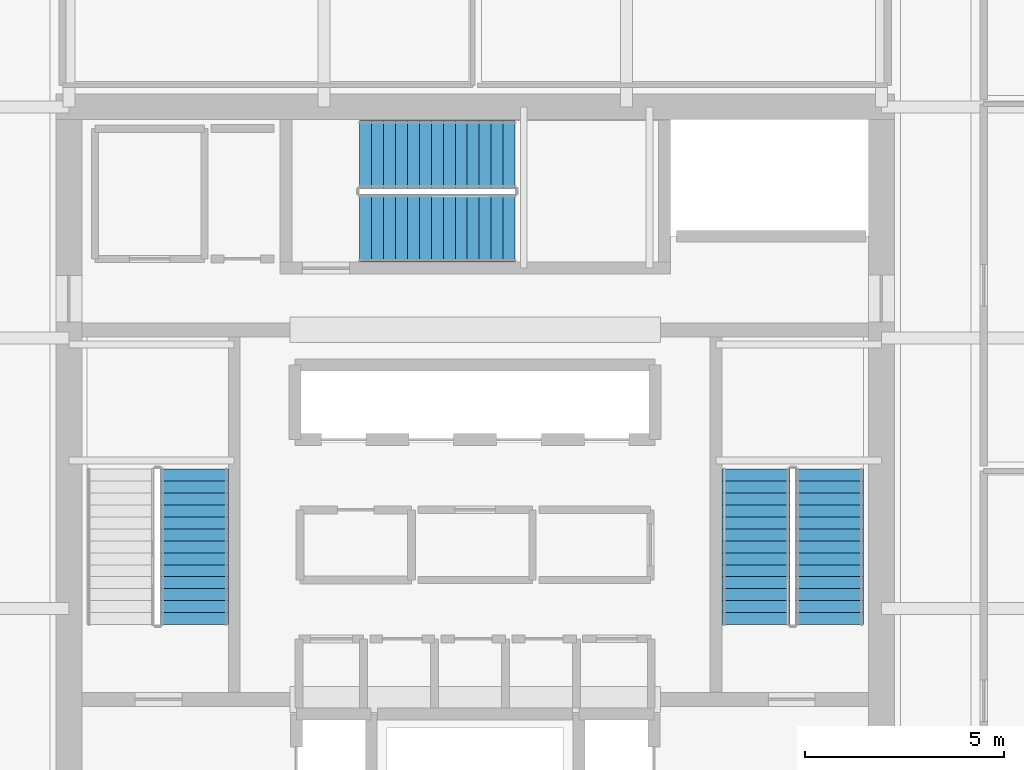
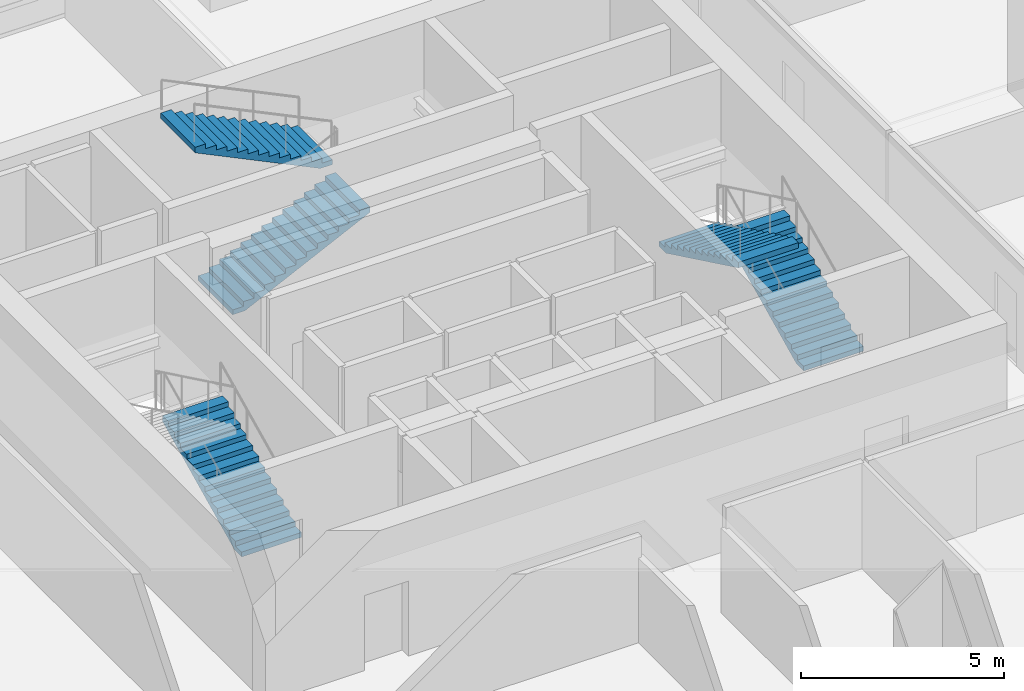
# One storey, part 32 of 36: 5 stair flights, 3 elements without a shape of their own.
"""IFC4 building model written with IfcOpenShell, lengths in metres."""

from ifc_helpers import new_model, si_unit, direction, frame, origin, place, context, subcontext, project, spatial, polyline, outline, extrude, material, type_object, element, aggregate, save


model = new_model("IFC4")

# Units and contexts
model_context = context("Model", 3, precision=1e-05, world=origin(), true_north=direction((0.0, 1.0)))
body_context = subcontext(model_context, "Body", "Model", "MODEL_VIEW")
ifc_project = project(units=[si_unit("LENGTHUNIT", "METRE"), si_unit("AREAUNIT", "SQUARE_METRE"), si_unit("VOLUMEUNIT", "CUBIC_METRE"), si_unit("PLANEANGLEUNIT", "RADIAN"), si_unit("MASSUNIT", "GRAM", prefix="KILO")], contexts=[model_context])

# Site, building, storey
site_placement = place(None, origin())
site = spatial("IfcSite", under=ifc_project, at=site_placement, CompositionType="ELEMENT")
building_placement = place(site_placement, origin())
building = spatial("IfcBuilding", under=site, at=building_placement, Name="Punatoya Terracotta Tower", CompositionType="ELEMENT")
storey_placement = place(building_placement, frame((0.0, 0.0, 228.89990234375)))
storey = spatial("IfcBuildingStorey", under=building, at=storey_placement, Name="L54", CompositionType="ELEMENT", Elevation=228.89990234375)

# Stair, stair flight
ifc_material = material(Name="Concrete C40/50", Category="concrete")
stair_type_1 = type_object("IfcStairType", Name="STR-CORE-1550", PredefinedType="HALF_TURN_STAIR", material=ifc_material)
stair_1_placement = place(storey_placement, origin())
stair_1 = element("IfcStair", 1, at=stair_1_placement, inside=storey, type_object=stair_type_1, Name="L54 Protected Core Exit Stair ST-1", PredefinedType="HALF_TURN_STAIR")
stair_flight_type_1 = type_object("IfcStairFlightType", Name="SFL-CORE-1550", PredefinedType="STRAIGHT", material=ifc_material)
stair_flight_1_placement = place(storey_placement, frame((-7.050048828125, -3.800048828125, 0.0), z_axis=(0.0, 0.0, 1.0), x_axis=(0.0, 1.0, 0.0)))
stair_flight_1 = element("IfcStairFlight", 2, at=stair_flight_1_placement, type_object=stair_flight_type_1, Name="ST-1 flight 1", NumberOfRisers=14, NumberOfTreads=13, PredefinedType="STRAIGHT", RiserHeight=0.144642857, TreadLength=0.3, context=body_context, shape_type="SweptSolid", body=[
    extrude(outline(polyline([(0.0, 0.0), (0.0, 0.14453125), (0.300048828125, 0.14453125), (0.300048828125, 0.289306640625), (0.60009765625, 0.289306640625), (0.60009765625, 0.433837890625), (0.89990234375, 0.433837890625), (0.89990234375, 0.57861328125), (1.199951171875, 0.57861328125), (1.199951171875, 0.72314453125), (1.5, 0.72314453125), (1.5, 0.867919921875), (1.800048828125, 0.867919921875), (1.800048828125, 1.012451171875), (2.10009765625, 1.012451171875), (2.10009765625, 1.1572265625), (2.39990234375, 1.1572265625), (2.39990234375, 1.3017578125), (2.699951171875, 1.3017578125), (2.699951171875, 1.446533203125), (3.0, 1.446533203125), (3.0, 1.591064453125), (3.300048828125, 1.591064453125), (3.300048828125, 1.735595703125), (3.60009765625, 1.735595703125), (3.60009765625, 1.88037109375), (3.89990234375, 1.88037109375), (3.89990234375, 2.02490234375), (3.89990234375, 1.7138671875), (0.34521484375, 0.0), (0.0, 0.0)])), frame((0.0, 0.85009765625, 0.0), z_axis=(0.0, -1.0, 0.0), x_axis=(1.0, 0.0, 0.0)), (0.0, 0.0, 1.0), 1.699951171875),
])
aggregate(stair_1, [stair_flight_1])

# Stair, stair flights
stair_type_2 = type_object("IfcStairType", Name="STR-LOB-1650", PredefinedType="HALF_TURN_STAIR", material=ifc_material)
stair_2_placement = place(storey_placement, origin())
stair_2 = element("IfcStair", 3, at=stair_2_placement, inside=storey, type_object=stair_type_2, Name="L54 Protected Core Exit Stair ST-2", PredefinedType="HALF_TURN_STAIR")
stair_flight_type_2 = type_object("IfcStairFlightType", Name="SFL-LOB-1650", PredefinedType="STRAIGHT", material=ifc_material)
stair_flight_2_placement = place(storey_placement, frame((8.89990234375, -3.800048828125, 0.0), z_axis=(0.0, 0.0, 1.0), x_axis=(0.0, 1.0, 0.0)))
stair_flight_2 = element("IfcStairFlight", 4, at=stair_flight_2_placement, type_object=stair_flight_type_2, Name="ST-2 flight 1", NumberOfRisers=14, NumberOfTreads=13, PredefinedType="STRAIGHT", RiserHeight=0.144642857, TreadLength=0.3, context=body_context, shape_type="SweptSolid", body=[
    extrude(outline(polyline([(0.0, 0.0), (0.0, 0.14453125), (0.300048828125, 0.14453125), (0.300048828125, 0.289306640625), (0.60009765625, 0.289306640625), (0.60009765625, 0.433837890625), (0.89990234375, 0.433837890625), (0.89990234375, 0.57861328125), (1.199951171875, 0.57861328125), (1.199951171875, 0.72314453125), (1.5, 0.72314453125), (1.5, 0.867919921875), (1.800048828125, 0.867919921875), (1.800048828125, 1.012451171875), (2.10009765625, 1.012451171875), (2.10009765625, 1.1572265625), (2.39990234375, 1.1572265625), (2.39990234375, 1.3017578125), (2.699951171875, 1.3017578125), (2.699951171875, 1.446533203125), (3.0, 1.446533203125), (3.0, 1.591064453125), (3.300048828125, 1.591064453125), (3.300048828125, 1.735595703125), (3.60009765625, 1.735595703125), (3.60009765625, 1.88037109375), (3.89990234375, 1.88037109375), (3.89990234375, 2.02490234375), (3.89990234375, 1.7138671875), (0.34521484375, 0.0), (0.0, 0.0)])), frame((0.0, 0.85009765625, 0.0), z_axis=(0.0, -1.0, 0.0), x_axis=(1.0, 0.0, 0.0)), (0.0, 0.0, 1.0), 1.699951171875),
])
stair_flight_3_placement = place(storey_placement, frame((7.050048828125, 0.10009765625, 2.025146484375), z_axis=(0.0, 0.0, 1.0), x_axis=(0.0, -1.0, 0.0)))
stair_flight_3 = element("IfcStairFlight", 5, at=stair_flight_3_placement, type_object=stair_flight_type_2, Name="ST-2 flight 2", NumberOfRisers=14, NumberOfTreads=13, PredefinedType="STRAIGHT", RiserHeight=0.144642857, TreadLength=0.3, context=body_context, shape_type="SweptSolid", body=[
    extrude(outline(polyline([(0.0, 0.0), (0.0, 0.14453125), (0.300048828125, 0.14453125), (0.300048828125, 0.289306640625), (0.60009765625, 0.289306640625), (0.60009765625, 0.433837890625), (0.89990234375, 0.433837890625), (0.89990234375, 0.57861328125), (1.199951171875, 0.57861328125), (1.199951171875, 0.72314453125), (1.5, 0.72314453125), (1.5, 0.867919921875), (1.800048828125, 0.867919921875), (1.800048828125, 1.012451171875), (2.10009765625, 1.012451171875), (2.10009765625, 1.1572265625), (2.39990234375, 1.1572265625), (2.39990234375, 1.3017578125), (2.699951171875, 1.3017578125), (2.699951171875, 1.446533203125), (3.0, 1.446533203125), (3.0, 1.591064453125), (3.300048828125, 1.591064453125), (3.300048828125, 1.735595703125), (3.60009765625, 1.735595703125), (3.60009765625, 1.88037109375), (3.89990234375, 1.88037109375), (3.89990234375, 2.02490234375), (3.89990234375, 1.7138671875), (0.34521484375, 0.0), (0.0, 0.0)])), frame((0.0, 0.85009765625, 0.0), z_axis=(0.0, -1.0, 0.0), x_axis=(1.0, 0.0, 0.0)), (0.0, 0.0, 1.0), 1.699951171875),
])
aggregate(stair_2, [stair_flight_2, stair_flight_3])

stair_type_3 = type_object("IfcStairType", Name="STR-TER-1450", PredefinedType="HALF_TURN_STAIR", material=ifc_material)
stair_3_placement = place(storey_placement, origin())
stair_3 = element("IfcStair", 6, at=stair_3_placement, inside=storey, type_object=stair_type_3, Name="L54 Protected Core Exit Stair ST-3", PredefinedType="HALF_TURN_STAIR")
stair_flight_type_3 = type_object("IfcStairFlightType", Name="SFL-TER-1450", PredefinedType="STRAIGHT", material=ifc_material)
stair_flight_4_placement = place(storey_placement, frame((-2.89990234375, 6.14990234375, 0.0), z_axis=(0.0, 0.0, 1.0), x_axis=(1.0, 0.0, 0.0)))
stair_flight_4 = element("IfcStairFlight", 7, at=stair_flight_4_placement, type_object=stair_flight_type_3, Name="ST-3 flight 1", NumberOfRisers=14, NumberOfTreads=13, PredefinedType="STRAIGHT", RiserHeight=0.144642857, TreadLength=0.3, context=body_context, shape_type="SweptSolid", body=[
    extrude(outline(polyline([(0.0, 0.0), (0.0, 0.14453125), (0.300048828125, 0.14453125), (0.300048828125, 0.289306640625), (0.60009765625, 0.289306640625), (0.60009765625, 0.433837890625), (0.89990234375, 0.433837890625), (0.89990234375, 0.57861328125), (1.199951171875, 0.57861328125), (1.199951171875, 0.72314453125), (1.5, 0.72314453125), (1.5, 0.867919921875), (1.800048828125, 0.867919921875), (1.800048828125, 1.012451171875), (2.10009765625, 1.012451171875), (2.10009765625, 1.1572265625), (2.39990234375, 1.1572265625), (2.39990234375, 1.3017578125), (2.699951171875, 1.3017578125), (2.699951171875, 1.446533203125), (3.0, 1.446533203125), (3.0, 1.591064453125), (3.300048828125, 1.591064453125), (3.300048828125, 1.735595703125), (3.60009765625, 1.735595703125), (3.60009765625, 1.88037109375), (3.89990234375, 1.88037109375), (3.89990234375, 2.02490234375), (3.89990234375, 1.7138671875), (0.34521484375, 0.0), (0.0, 0.0)])), frame((0.0, 0.85009765625, 0.0), z_axis=(0.0, -1.0, 0.0), x_axis=(1.0, 0.0, 0.0)), (0.0, 0.0, 1.0), 1.699951171875),
])
stair_flight_5_placement = place(storey_placement, frame((1.0, 8.0, 2.025146484375), z_axis=(0.0, 0.0, 1.0), x_axis=(-1.0, 0.0, 0.0)))
stair_flight_5 = element("IfcStairFlight", 8, at=stair_flight_5_placement, type_object=stair_flight_type_3, Name="ST-3 flight 2", NumberOfRisers=14, NumberOfTreads=13, PredefinedType="STRAIGHT", RiserHeight=0.144642857, TreadLength=0.3, context=body_context, shape_type="SweptSolid", body=[
    extrude(outline(polyline([(0.0, 0.0), (0.0, 0.14453125), (0.300048828125, 0.14453125), (0.300048828125, 0.289306640625), (0.60009765625, 0.289306640625), (0.60009765625, 0.433837890625), (0.89990234375, 0.433837890625), (0.89990234375, 0.57861328125), (1.199951171875, 0.57861328125), (1.199951171875, 0.72314453125), (1.5, 0.72314453125), (1.5, 0.867919921875), (1.800048828125, 0.867919921875), (1.800048828125, 1.012451171875), (2.10009765625, 1.012451171875), (2.10009765625, 1.1572265625), (2.39990234375, 1.1572265625), (2.39990234375, 1.3017578125), (2.699951171875, 1.3017578125), (2.699951171875, 1.446533203125), (3.0, 1.446533203125), (3.0, 1.591064453125), (3.300048828125, 1.591064453125), (3.300048828125, 1.735595703125), (3.60009765625, 1.735595703125), (3.60009765625, 1.88037109375), (3.89990234375, 1.88037109375), (3.89990234375, 2.02490234375), (3.89990234375, 1.7138671875), (0.34521484375, 0.0), (0.0, 0.0)])), frame((0.0, 0.85009765625, 0.0), z_axis=(0.0, -1.0, 0.0), x_axis=(1.0, 0.0, 0.0)), (0.0, 0.0, 1.0), 1.699951171875),
])
aggregate(stair_3, [stair_flight_4, stair_flight_5])

save(model, "model.ifc")
